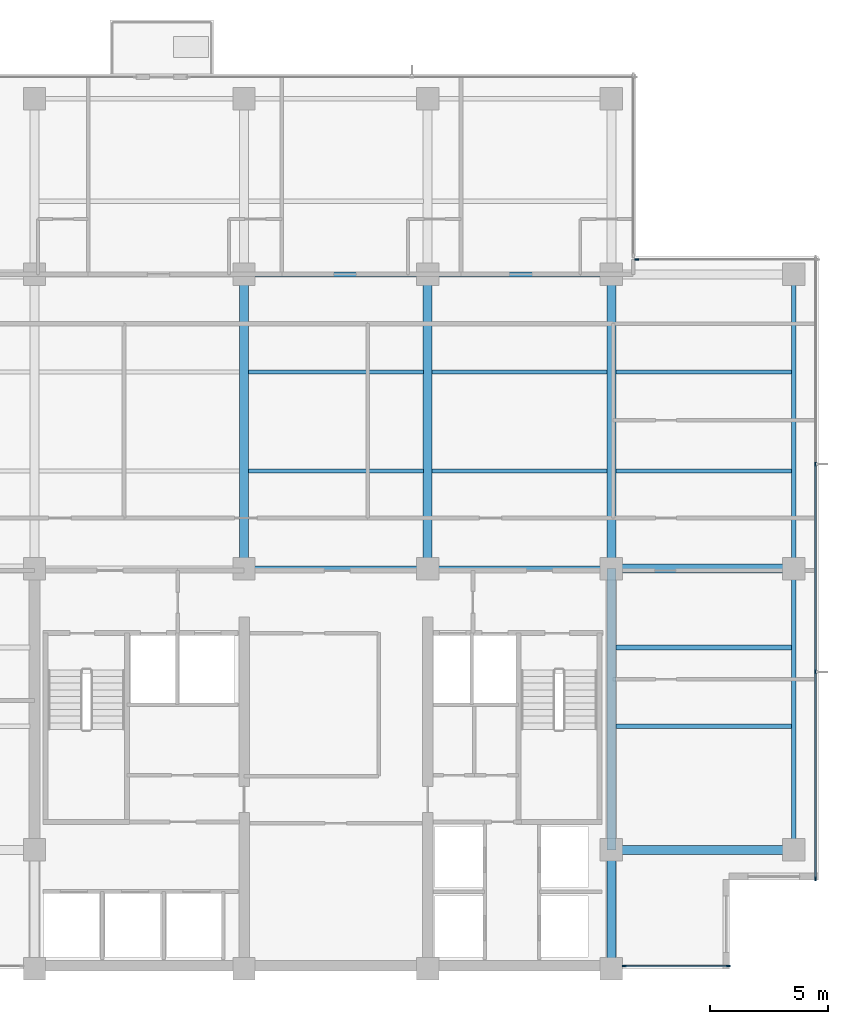
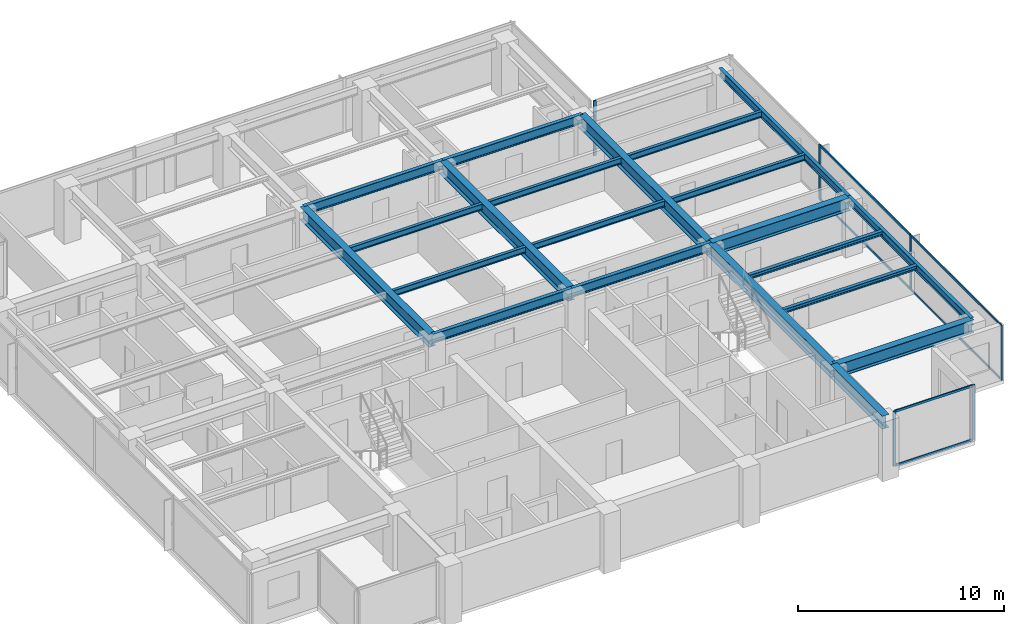
# One storey, part 3 of 14: 21 beams, 12 members, 3 elements without a shape of their own.
"""IFC4 building model written with IfcOpenShell, lengths in metres."""

import ifcopenshell
import ifcopenshell.guid

model = None  # the IFC model being written
_history = None  # IfcOwnerHistory: only IFC2X3 demands one
_inside = {}  # id of a spatial element -> (the spatial element, [elements in it])
_under = {}  # id of a project, library or spatial element -> (it, [spatial elements below it])
_declared = {}  # id of a project -> (the project, [libraries it declares])
_typed = {}  # id of a type object -> (the type object, [elements of that type])
_made_of = {}  # id of a material, layer set ... -> (it, [elements and type objects made of it])


def new_model(schema):
    """Start an empty IFC model of exactly this schema.

    Asked for "IFC4X3", IfcOpenShell would pick the latest addendum, in which some entities
    have other attributes; the version numbers below select the first issue.
    IFC2X3 requires an IfcOwnerHistory on every rooted entity: one is made here for all.
    """
    global model, _history
    if schema == "IFC4X3":
        model = ifcopenshell.file(schema_version=(4, 3, 0, 0))
    else:
        model = ifcopenshell.file(schema=schema)
    _inside.clear()
    _under.clear()
    _declared.clear()
    _typed.clear()
    _made_of.clear()
    _history = None
    if model.schema == "IFC2X3":
        org = make("IfcOrganization", Name="unknown")
        user = make(
            "IfcPersonAndOrganization",
            ThePerson=make("IfcPerson", FamilyName="unknown"),
            TheOrganization=org,
        )
        app = make(
            "IfcApplication",
            ApplicationDeveloper=org,
            Version="unknown",
            ApplicationFullName="unknown",
            ApplicationIdentifier="unknown",
        )
        _history = make(
            "IfcOwnerHistory",
            OwningUser=user,
            OwningApplication=app,
            ChangeAction="ADDED",
            CreationDate=0,
        )
    return model


def make(cls, **values):
    """One entity of the class cls with the attributes given. An attribute that is None is left unset."""
    return model.create_entity(
        cls, **{name: value for name, value in values.items() if value is not None}
    )


def rooted(cls, **values):
    """An entity with a GlobalId (a new one), such as an element, a storey or a relation."""
    return make(cls, GlobalId=ifcopenshell.guid.new(), OwnerHistory=_history, **values)


def si_unit(unit_type, name, prefix=None):
    """IfcSIUnit, for example si_unit("LENGTHUNIT", "METRE", prefix="MILLI")."""
    return make("IfcSIUnit", UnitType=unit_type, Prefix=prefix, Name=name)


def assignment(units):
    """IfcUnitAssignment: the units of a project."""
    return None if units is None else make("IfcUnitAssignment", Units=units)


def point(xyz):
    """IfcCartesianPoint."""
    return None if xyz is None else make("IfcCartesianPoint", Coordinates=xyz)


def direction(xyz):
    """IfcDirection."""
    return None if xyz is None else make("IfcDirection", DirectionRatios=xyz)


def frame(location, z_axis=None, x_axis=None):
    """IfcAxis2Placement3D, a coordinate frame: its origin and axes. An axis left out is left unset."""
    return make(
        "IfcAxis2Placement3D",
        Location=point(location),
        Axis=direction(z_axis),
        RefDirection=direction(x_axis),
    )


def frame_2d(location, x_axis=None):
    """IfcAxis2Placement2D, a coordinate frame in the plane: its origin and x axis."""
    return make(
        "IfcAxis2Placement2D", Location=point(location), RefDirection=direction(x_axis)
    )


def origin():
    """The frame at (0, 0, 0) with its axes left unset."""
    return frame((0.0, 0.0, 0.0))


def origin_2d():
    """The frame at (0, 0) in the plane with its x axis left unset."""
    return frame_2d((0.0, 0.0))


def place(relative_to, where):
    """IfcLocalPlacement: puts the frame where relative to a parent placement (None: the world)."""
    return make(
        "IfcLocalPlacement", PlacementRelTo=relative_to, RelativePlacement=where
    )


def context(
    kind, dimensions, precision=None, world=None, true_north=None, identifier=None
):
    """IfcGeometricRepresentationContext, for example the 3D "Model" context."""
    return make(
        "IfcGeometricRepresentationContext",
        ContextIdentifier=identifier,
        ContextType=kind,
        CoordinateSpaceDimension=dimensions,
        Precision=precision,
        WorldCoordinateSystem=world,
        TrueNorth=true_north,
    )


def subcontext(parent, identifier, kind, view, scale=None):
    """IfcGeometricRepresentationSubContext, for example "Body" below "Model"."""
    return make(
        "IfcGeometricRepresentationSubContext",
        ContextIdentifier=identifier,
        ContextType=kind,
        ParentContext=parent,
        TargetScale=scale,
        TargetView=view,
    )


def project(units=None, contexts=None):
    """IfcProject with its units and contexts."""
    return rooted(
        "IfcProject",
        Name="project",
        RepresentationContexts=contexts,
        UnitsInContext=assignment(units),
    )


def spatial(cls, under=None, at=None, **own):
    """A site, building, storey or space (cls), placed at a placement, below another one or the project."""
    s = rooted(cls, ObjectPlacement=at, **own)
    if under is not None:
        _under.setdefault(under.id(), (under, []))[1].append(s)
    return s


def profile(cls, at=None, kind="AREA", **sizes):
    """A parametric profile (cls). Its sizes go by their IFC names, for example OverallWidth=200.0."""
    return make(cls, ProfileType=kind, Position=at, **sizes)


def rectangle(**sizes):
    """IfcRectangleProfileDef."""
    return profile("IfcRectangleProfileDef", **sizes)


def i_section(**sizes):
    """IfcIShapeProfileDef."""
    return profile("IfcIShapeProfileDef", **sizes)


def extrude(swept, where, along, depth):
    """IfcExtrudedAreaSolid: the profile swept, set in the frame where, extruded along a direction by depth."""
    return make(
        "IfcExtrudedAreaSolid",
        SweptArea=swept,
        Position=where,
        ExtrudedDirection=direction(along),
        Depth=depth,
    )


def shape(context_of_items, identifier, shape_type, items):
    """IfcShapeRepresentation: the items that make up one representation, for example the "Body"."""
    return make(
        "IfcShapeRepresentation",
        ContextOfItems=context_of_items,
        RepresentationIdentifier=identifier,
        RepresentationType=shape_type,
        Items=items,
    )


def material(Name=None, Category=None):
    """IfcMaterial."""
    return make("IfcMaterial", Name=Name, Category=Category)


def layer(
    of_material, thickness, ventilated=None, Name=None, Category=None, Priority=None
):
    """IfcMaterialLayer: one layer of a wall or slab, of a material (None: an air gap)."""
    return make(
        "IfcMaterialLayer",
        Material=of_material,
        LayerThickness=thickness,
        IsVentilated=ventilated,
        Name=Name,
        Category=Category,
        Priority=Priority,
    )


def layer_set(layers, Name=None):
    """IfcMaterialLayerSet."""
    return make("IfcMaterialLayerSet", MaterialLayers=layers, LayerSetName=Name)


def material_profile(
    of_material, cross_section, Name=None, Category=None, Priority=None
):
    """IfcMaterialProfile: a cross section and its material."""
    return make(
        "IfcMaterialProfile",
        Name=Name,
        Material=of_material,
        Profile=cross_section,
        Priority=Priority,
        Category=Category,
    )


def profile_set(profiles, Name=None, composite=None):
    """IfcMaterialProfileSet."""
    return make(
        "IfcMaterialProfileSet",
        Name=Name,
        MaterialProfiles=profiles,
        CompositeProfile=composite,
    )


def made_of(thing, what):
    """Note that an element or type object is made of a material, layer set ...; save() writes the relation."""
    if what is not None:
        _made_of.setdefault(what.id(), (what, []))[1].append(thing)
    return thing


def type_object(cls, material=None, **own):
    """A type object (cls), such as IfcWallType, which elements share."""
    return made_of(rooted(cls, **own), material)


def element(
    cls,
    number,
    at=None,
    inside=None,
    cuts=None,
    type_object=None,
    material=None,
    context=None,
    identifier="Body",
    shape_type=None,
    held_by="IfcProductDefinitionShape",
    body=None,
    shapes=None,
    **own,
):
    """One element of the class cls, such as IfcWall. Its Tag is "e" and its number.

    at: its placement. inside: the storey or other place that contains it. cuts: it is an
    opening in that element (IfcRelVoidsElement). A single representation is given by context,
    identifier, shape_type and body (its items); several are given by shapes. held_by: the class
    of the entity that holds the representations. save() writes the other relations.
    """
    e = rooted(cls, Tag="e%d" % number, ObjectPlacement=at, **own)
    if body is not None:
        shapes = [shape(context, identifier, shape_type, body)]
    if shapes is not None:
        e.Representation = make(held_by, Representations=shapes)
    if inside is not None:
        _inside.setdefault(inside.id(), (inside, []))[1].append(e)
    if cuts is not None:
        rooted(
            "IfcRelVoidsElement", RelatingBuildingElement=cuts, RelatedOpeningElement=e
        )
    if type_object is not None:
        _typed.setdefault(type_object.id(), (type_object, []))[1].append(e)
    return made_of(e, material)


def aggregate(whole, parts):
    """IfcRelAggregates: a whole, such as a stair, and the parts it consists of."""
    return rooted("IfcRelAggregates", RelatingObject=whole, RelatedObjects=parts)


def save(model, path):
    """Write the relations noted so far, then the file.

    IfcRelAggregates (storeys below a building ...), IfcRelContainedInSpatialStructure (elements
    in a storey), IfcRelDefinesByType, IfcRelAssociatesMaterial and IfcRelDeclares: one each for
    every whole, place, type object, material and project.
    """
    for whole, parts in _under.values():
        aggregate(whole, parts)
    for where, things in _inside.values():
        rooted(
            "IfcRelContainedInSpatialStructure",
            RelatedElements=things,
            RelatingStructure=where,
        )
    for kind, things in _typed.values():
        rooted("IfcRelDefinesByType", RelatedObjects=things, RelatingType=kind)
    for what, things in _made_of.values():
        rooted("IfcRelAssociatesMaterial", RelatedObjects=things, RelatingMaterial=what)
    for by, libraries in _declared.values():
        rooted("IfcRelDeclares", RelatingContext=by, RelatedDefinitions=libraries)
    model.write(path)


model = new_model("IFC4")

# Units and contexts
model_context = context("Model", 3, precision=1e-05, world=origin(), true_north=direction((0.0, 1.0)))
body_context = subcontext(model_context, "Body", "Model", "MODEL_VIEW")
ifc_project = project(units=[si_unit("LENGTHUNIT", "METRE"), si_unit("AREAUNIT", "SQUARE_METRE"), si_unit("VOLUMEUNIT", "CUBIC_METRE"), si_unit("PLANEANGLEUNIT", "RADIAN"), si_unit("MASSUNIT", "GRAM", prefix="KILO")], contexts=[model_context])

# Site, building, storey
site_placement = place(None, origin())
site = spatial("IfcSite", under=ifc_project, at=site_placement, CompositionType="ELEMENT")
building_placement = place(site_placement, origin())
building = spatial("IfcBuilding", under=site, at=building_placement, Name="Qalmaran Belvedere Hotel", CompositionType="ELEMENT")
storey_placement = place(building_placement, frame((0.0, 0.0, 207.39990234375)))
storey = spatial("IfcBuildingStorey", under=building, at=storey_placement, Name="L52", CompositionType="ELEMENT", Elevation=207.39990234375)

# Beams
ifc_material_1 = material(Name="Steel S355JR", Category="steel")
ifc_material_profile_1 = material_profile(ifc_material_1, i_section(OverallWidth=0.201904296875, OverallDepth=0.2470703125, WebThickness=0.00732421875, FlangeThickness=0.010986328125, FilletRadius=0.011962890625, at=origin_2d()), Name="W250X49")
ifc_profile_set_1 = profile_set([ifc_material_profile_1], Name="Steel S355JR")
beam_type_1 = type_object("IfcBeamType", Name="BM-JST-W250X49", PredefinedType="JOIST", material=ifc_profile_set_1)
for number, where, z_axis, x_axis, name in (
    (1, (44.988525390625, 13.800048828125, 3.13671875), (1.0, 0.0, 0.0), (0.0, 1.0, 0.0), "L52 East Wing Joist 039"),
    (2, (44.988525390625, 17.14990234375, 3.13671875), (1.0, 0.0, 0.0), (0.0, 1.0, 0.0), "L52 East Wing Joist 041"),
):
    element("IfcBeam", number, at=place(storey_placement, frame(where, z_axis=z_axis, x_axis=x_axis)), inside=storey, type_object=beam_type_1, Name=name, PredefinedType="JOIST", context=body_context, shape_type="SweptSolid", body=[
        extrude(i_section(OverallWidth=0.201904296875, OverallDepth=0.2470703125, WebThickness=0.00732421875, FlangeThickness=0.010986328125, FilletRadius=0.011962890625, at=origin_2d()), origin(), (0.0, 0.0, 1.0), 7.467529296875),
    ])
ifc_material_profile_2 = material_profile(ifc_material_1, i_section(OverallWidth=0.381103515625, OverallDepth=0.77294921875, WebThickness=0.0166015625, FlangeThickness=0.027099609375, FilletRadius=0.02197265625, at=origin_2d()), Name="W760X257")
ifc_profile_set_2 = profile_set([ifc_material_profile_2], Name="Steel S355JR")
beam_type_2 = type_object("IfcBeamType", Name="BM-PG4-W760X257", PredefinedType="USERDEFINED", material=ifc_profile_set_2)
for number, where, z_axis, x_axis, name in (
    (3, (29.199951171875, 20.5, 2.87353515625), (0.0, 1.0, 0.0), (-1.0, 0.0, 0.0), "L52 Mid-Plate N-S Girder 16"),
    (4, (37.0, 20.5, 2.87353515625), (0.0, 1.0, 0.0), (-1.0, 0.0, 0.0), "L52 Mid-Plate N-S Girder 18"),
    (5, (44.800048828125, 20.5, 2.87353515625), (0.0, 1.0, 0.0), (-1.0, 0.0, 0.0), "L52 Mid-Plate N-S Girder 20"),
):
    element("IfcBeam", number, at=place(storey_placement, frame(where, z_axis=z_axis, x_axis=x_axis)), inside=storey, type_object=beam_type_2, Name=name, ObjectType="GIRDER", PredefinedType="USERDEFINED", context=body_context, shape_type="SweptSolid", body=[
        extrude(i_section(OverallWidth=0.381103515625, OverallDepth=0.77294921875, WebThickness=0.0166015625, FlangeThickness=0.027099609375, FilletRadius=0.02197265625, at=origin_2d()), origin(), (0.0, 0.0, 1.0), 12.5),
    ])
beam_1_placement = place(storey_placement, frame((44.800048828125, 3.5, 2.87353515625), z_axis=(0.0, 1.0, 0.0), x_axis=(-1.0, 0.0, 0.0)))
element("IfcBeam", 6, at=beam_1_placement, inside=storey, type_object=beam_type_2, Name="L52 East Core Edge Girder A", ObjectType="GIRDER", PredefinedType="USERDEFINED", context=body_context, shape_type="SweptSolid", body=[
    extrude(i_section(OverallWidth=0.381103515625, OverallDepth=0.77294921875, WebThickness=0.0166015625, FlangeThickness=0.027099609375, FilletRadius=0.02197265625, at=origin_2d()), origin(), (0.0, 0.0, 1.0), 5.050048828125),
])
beam_2_placement = place(storey_placement, frame((44.800048828125, 8.550048828125, 2.87353515625), z_axis=(0.0, 1.0, 0.0), x_axis=(-1.0, 0.0, 0.0)))
element("IfcBeam", 7, at=beam_2_placement, inside=storey, type_object=beam_type_2, Name="L52 East Core Edge Girder B", ObjectType="GIRDER", PredefinedType="USERDEFINED", context=body_context, shape_type="SweptSolid", body=[
    extrude(i_section(OverallWidth=0.381103515625, OverallDepth=0.77294921875, WebThickness=0.0166015625, FlangeThickness=0.027099609375, FilletRadius=0.02197265625, at=origin_2d()), origin(), (0.0, 0.0, 1.0), 11.949951171875),
])
for number, where, z_axis, x_axis, name in (
    (8, (44.800048828125, 8.550048828125, 2.87353515625), (1.0, 0.0, 0.0), (0.0, 1.0, 0.0), "L52 East Wing Girder 25"),
    (9, (44.800048828125, 20.5, 2.87353515625), (1.0, 0.0, 0.0), (0.0, 1.0, 0.0), "L52 East Wing Girder 26"),
):
    element("IfcBeam", number, at=place(storey_placement, frame(where, z_axis=z_axis, x_axis=x_axis)), inside=storey, type_object=beam_type_2, Name=name, ObjectType="GIRDER", PredefinedType="USERDEFINED", context=body_context, shape_type="SweptSolid", body=[
        extrude(i_section(OverallWidth=0.381103515625, OverallDepth=0.77294921875, WebThickness=0.0166015625, FlangeThickness=0.027099609375, FilletRadius=0.02197265625, at=origin_2d()), origin(), (0.0, 0.0, 1.0), 7.75),
    ])
ifc_material_profile_3 = material_profile(ifc_material_1, i_section(OverallWidth=0.172119140625, OverallDepth=0.35791015625, WebThickness=0.0078125, FlangeThickness=0.01318359375, FilletRadius=0.014892578125, at=origin_2d()), Name="W360X57")
ifc_profile_set_3 = profile_set([ifc_material_profile_3], Name="Steel S355JR")
beam_type_3 = type_object("IfcBeamType", Name="BM-SB4-W360X57", PredefinedType="BEAM", material=ifc_profile_set_3)
for number, where, z_axis, x_axis, name in (
    (10, (29.388427734375, 24.64990234375, 3.0810546875), (1.0, 0.0, 0.0), (0.0, 1.0, 0.0), "L52 Secondary Floor Beam 030"),
    (11, (37.1884765625, 24.64990234375, 3.0810546875), (1.0, 0.0, 0.0), (0.0, 1.0, 0.0), "L52 Secondary Floor Beam 031"),
):
    element("IfcBeam", number, at=place(storey_placement, frame(where, z_axis=z_axis, x_axis=x_axis)), inside=storey, type_object=beam_type_3, Name=name, PredefinedType="BEAM", context=body_context, shape_type="SweptSolid", body=[
        extrude(i_section(OverallWidth=0.172119140625, OverallDepth=0.35791015625, WebThickness=0.0078125, FlangeThickness=0.01318359375, FilletRadius=0.014892578125, at=origin_2d()), origin(), (0.0, 0.0, 1.0), 7.423095703125),
    ])
beam_3_placement = place(storey_placement, frame((44.988525390625, 24.64990234375, 3.0810546875), z_axis=(1.0, 0.0, 0.0), x_axis=(0.0, 1.0, 0.0)))
element("IfcBeam", 12, at=beam_3_placement, inside=storey, type_object=beam_type_3, Name="L52 East Secondary Beam 032", PredefinedType="BEAM", context=body_context, shape_type="SweptSolid", body=[
    extrude(i_section(OverallWidth=0.172119140625, OverallDepth=0.35791015625, WebThickness=0.0078125, FlangeThickness=0.01318359375, FilletRadius=0.014892578125, at=origin_2d()), origin(), (0.0, 0.0, 1.0), 7.467529296875),
])
for number, where, z_axis, x_axis, name in (
    (13, (29.388427734375, 28.85009765625, 3.0810546875), (1.0, 0.0, 0.0), (0.0, 1.0, 0.0), "L52 Secondary Floor Beam 035"),
    (14, (37.1884765625, 28.85009765625, 3.0810546875), (1.0, 0.0, 0.0), (0.0, 1.0, 0.0), "L52 Secondary Floor Beam 036"),
):
    element("IfcBeam", number, at=place(storey_placement, frame(where, z_axis=z_axis, x_axis=x_axis)), inside=storey, type_object=beam_type_3, Name=name, PredefinedType="BEAM", context=body_context, shape_type="SweptSolid", body=[
        extrude(i_section(OverallWidth=0.172119140625, OverallDepth=0.35791015625, WebThickness=0.0078125, FlangeThickness=0.01318359375, FilletRadius=0.014892578125, at=origin_2d()), origin(), (0.0, 0.0, 1.0), 7.423095703125),
    ])
beam_4_placement = place(storey_placement, frame((44.988525390625, 28.85009765625, 3.0810546875), z_axis=(1.0, 0.0, 0.0), x_axis=(0.0, 1.0, 0.0)))
element("IfcBeam", 15, at=beam_4_placement, inside=storey, type_object=beam_type_3, Name="L52 East Secondary Beam 037", PredefinedType="BEAM", context=body_context, shape_type="SweptSolid", body=[
    extrude(i_section(OverallWidth=0.172119140625, OverallDepth=0.35791015625, WebThickness=0.0078125, FlangeThickness=0.01318359375, FilletRadius=0.014892578125, at=origin_2d()), origin(), (0.0, 0.0, 1.0), 7.467529296875),
])
ifc_material_profile_4 = material_profile(ifc_material_1, i_section(OverallWidth=0.19189453125, OverallDepth=0.462890625, WebThickness=0.010498046875, FlangeThickness=0.017578125, FilletRadius=0.01611328125, at=origin_2d()), Name="W460X89")
ifc_profile_set_4 = profile_set([ifc_material_profile_4], Name="Steel S355JR")
beam_type_4 = type_object("IfcBeamType", Name="BM-SP2-W460X89", PredefinedType="SPANDREL", material=ifc_profile_set_4)
beam_5_placement = place(storey_placement, frame((52.550048828125, 8.550048828125, 3.028564453125), z_axis=(0.0, 1.0, 0.0), x_axis=(-1.0, 0.0, 0.0)))
element("IfcBeam", 16, at=beam_5_placement, inside=storey, type_object=beam_type_4, Name="L52 Perimeter Spandrel 03", PredefinedType="SPANDREL", context=body_context, shape_type="SweptSolid", body=[
    extrude(i_section(OverallWidth=0.19189453125, OverallDepth=0.462890625, WebThickness=0.010498046875, FlangeThickness=0.017578125, FilletRadius=0.01611328125, at=origin_2d()), origin(), (0.0, 0.0, 1.0), 11.949951171875),
])
beam_6_placement = place(storey_placement, frame((52.550048828125, 20.5, 3.028564453125), z_axis=(0.0, 1.0, 0.0), x_axis=(-1.0, 0.0, 0.0)))
element("IfcBeam", 17, at=beam_6_placement, inside=storey, type_object=beam_type_4, Name="L52 Perimeter Spandrel 04", PredefinedType="SPANDREL", context=body_context, shape_type="SweptSolid", body=[
    extrude(i_section(OverallWidth=0.19189453125, OverallDepth=0.462890625, WebThickness=0.010498046875, FlangeThickness=0.017578125, FilletRadius=0.01611328125, at=origin_2d()), origin(), (0.0, 0.0, 1.0), 12.5),
])
ifc_material_profile_5 = material_profile(ifc_material_1, i_section(OverallWidth=0.2109375, OverallDepth=0.5390625, WebThickness=0.01171875, FlangeThickness=0.018798828125, FilletRadius=0.01806640625, at=origin_2d()), Name="W530X109")
ifc_profile_set_5 = profile_set([ifc_material_profile_5], Name="Steel S355JR")
beam_type_5 = type_object("IfcBeamType", Name="BM-Z4-W530X109", PredefinedType="USERDEFINED", material=ifc_profile_set_5)
for number, where, z_axis, x_axis, name in (
    (18, (29.199951171875, 20.5, 2.990478515625), (1.0, 0.0, 0.0), (0.0, 1.0, 0.0), "L52 Interior E-W Girder 09"),
    (19, (37.0, 20.5, 2.990478515625), (1.0, 0.0, 0.0), (0.0, 1.0, 0.0), "L52 Interior E-W Girder 10"),
    (20, (29.199951171875, 33.0, 2.990478515625), (1.0, 0.0, 0.0), (0.0, 1.0, 0.0), "L52 Interior E-W Girder 12"),
    (21, (37.0, 33.0, 2.990478515625), (1.0, 0.0, 0.0), (0.0, 1.0, 0.0), "L52 Interior E-W Girder 13"),
):
    element("IfcBeam", number, at=place(storey_placement, frame(where, z_axis=z_axis, x_axis=x_axis)), inside=storey, type_object=beam_type_5, Name=name, ObjectType="GIRDER", PredefinedType="USERDEFINED", context=body_context, shape_type="SweptSolid", body=[
        extrude(i_section(OverallWidth=0.2109375, OverallDepth=0.5390625, WebThickness=0.01171875, FlangeThickness=0.018798828125, FilletRadius=0.01806640625, at=origin_2d()), origin(), (0.0, 0.0, 1.0), 7.800048828125),
    ])

# Curtain wall, members
ifc_material_2 = material(Name="Anodised Bronze Aluminium", Category="aluminium")
ifc_layer = layer(ifc_material_2, 0.18994140625, Name="Anodised Bronze Aluminium")
ifc_layer_set = layer_set([ifc_layer], Name="Anodised Bronze Aluminium")
curtain_wall_type = type_object("IfcCurtainWallType", Name="CW5-TOWER-UPPER", PredefinedType="NOTDEFINED", material=ifc_layer_set)
curtain_wall_1_placement = place(storey_placement, origin())
curtain_wall_1 = element("IfcCurtainWall", 22, at=curtain_wall_1_placement, inside=storey, type_object=curtain_wall_type, Name="L52 Curtain Wall CW5", PredefinedType="NOTDEFINED")
ifc_material_profile_6 = material_profile(ifc_material_2, rectangle(XDim=0.06494140625, YDim=0.1650390625, at=origin_2d()), Name="CWM65X165")
ifc_profile_set_6 = profile_set([ifc_material_profile_6], Name="Anodised Bronze Aluminium")
member_type_1 = type_object("IfcMemberType", Name="CWM-65X165", PredefinedType="MULLION", material=ifc_profile_set_6)
member_1_placement = place(storey_placement, frame((45.347412109375, 3.6201171875, 0.0), z_axis=(0.0, 0.0, 1.0), x_axis=(0.0, 1.0, 0.0)))
member_1 = element("IfcMember", 23, at=member_1_placement, type_object=member_type_1, Name="CW5 mullion 1", PredefinedType="MULLION", context=body_context, shape_type="SweptSolid", body=[
    extrude(rectangle(XDim=0.06494140625, YDim=0.1650390625, at=origin_2d()), origin(), (0.0, 0.0, 1.0), 3.260009765625),
])
member_2_placement = place(storey_placement, frame((49.767578125, 3.6201171875, 0.0), z_axis=(0.0, 0.0, 1.0), x_axis=(0.0, 1.0, 0.0)))
member_2 = element("IfcMember", 24, at=member_2_placement, type_object=member_type_1, Name="CW5 mullion 2", PredefinedType="MULLION", context=body_context, shape_type="SweptSolid", body=[
    extrude(rectangle(XDim=0.06494140625, YDim=0.1650390625, at=origin_2d()), origin(), (0.0, 0.0, 1.0), 3.260009765625),
])

curtain_wall_2_placement = place(storey_placement, origin())
curtain_wall_2 = element("IfcCurtainWall", 25, at=curtain_wall_2_placement, inside=storey, type_object=curtain_wall_type, Name="L52 Curtain Wall CW5", PredefinedType="NOTDEFINED")
member_3_placement = place(storey_placement, frame((53.47998046875, 7.33251953125, 0.0), z_axis=(0.0, 0.0, 1.0), x_axis=(-1.0, 0.0, 0.0)))
member_3 = element("IfcMember", 26, at=member_3_placement, type_object=member_type_1, Name="CW5 mullion 1", PredefinedType="MULLION", context=body_context, shape_type="SweptSolid", body=[
    extrude(rectangle(XDim=0.06494140625, YDim=0.1650390625, at=origin_2d()), origin(), (0.0, 0.0, 1.0), 3.260009765625),
])
member_4_placement = place(storey_placement, frame((53.47998046875, 16.11669921875, 0.0), z_axis=(0.0, 0.0, 1.0), x_axis=(-1.0, 0.0, 0.0)))
member_4 = element("IfcMember", 27, at=member_4_placement, type_object=member_type_1, Name="CW5 mullion 2", PredefinedType="MULLION", context=body_context, shape_type="SweptSolid", body=[
    extrude(rectangle(XDim=0.06494140625, YDim=0.1650390625, at=origin_2d()), origin(), (0.0, 0.0, 1.0), 3.260009765625),
])
member_5_placement = place(storey_placement, frame((53.47998046875, 24.933349609375, 0.0), z_axis=(0.0, 0.0, 1.0), x_axis=(-1.0, 0.0, 0.0)))
member_5 = element("IfcMember", 28, at=member_5_placement, type_object=member_type_1, Name="CW5 mullion 3", PredefinedType="MULLION", context=body_context, shape_type="SweptSolid", body=[
    extrude(rectangle(XDim=0.06494140625, YDim=0.1650390625, at=origin_2d()), origin(), (0.0, 0.0, 1.0), 3.260009765625),
])

# Curtain wall, member
curtain_wall_3_placement = place(storey_placement, origin())
curtain_wall_3 = element("IfcCurtainWall", 29, at=curtain_wall_3_placement, inside=storey, type_object=curtain_wall_type, Name="L52 Curtain Wall CW5", PredefinedType="NOTDEFINED")
member_6_placement = place(storey_placement, frame((45.882568359375, 33.6298828125, 0.0), z_axis=(0.0, 0.0, 1.0), x_axis=(0.0, -1.0, 0.0)))
member_6 = element("IfcMember", 30, at=member_6_placement, type_object=member_type_1, Name="CW5 mullion 2", PredefinedType="MULLION", context=body_context, shape_type="SweptSolid", body=[
    extrude(rectangle(XDim=0.06494140625, YDim=0.1650390625, at=origin_2d()), origin(), (0.0, 0.0, 1.0), 3.260009765625),
])
aggregate(curtain_wall_3, [member_6])

# Member
ifc_material_profile_7 = material_profile(ifc_material_2, rectangle(XDim=0.06494140625, YDim=0.1298828125, at=origin_2d()), Name="CWT65X130")
ifc_profile_set_7 = profile_set([ifc_material_profile_7], Name="Anodised Bronze Aluminium")
member_type_2 = type_object("IfcMemberType", Name="CWT-65X130", PredefinedType="USERDEFINED", material=ifc_profile_set_7)
member_7_placement = place(storey_placement, frame((45.3798828125, 3.6201171875, 0.03271484375), z_axis=(1.0, 0.0, 0.0), x_axis=(0.0, 1.0, 0.0)))
member_7 = element("IfcMember", 31, at=member_7_placement, type_object=member_type_2, Name="CW5 transom 1.1", ObjectType="TRANSOM", PredefinedType="USERDEFINED", context=body_context, shape_type="SweptSolid", body=[
    extrude(rectangle(XDim=0.06494140625, YDim=0.1298828125, at=origin_2d()), origin(), (0.0, 0.0, 1.0), 4.355224609375),
])

member_8_placement = place(storey_placement, frame((45.3798828125, 3.6201171875, 3.2275390625), z_axis=(1.0, 0.0, 0.0), x_axis=(0.0, 1.0, 0.0)))
member_8 = element("IfcMember", 32, at=member_8_placement, type_object=member_type_2, Name="CW5 transom 1.2", ObjectType="TRANSOM", PredefinedType="USERDEFINED", context=body_context, shape_type="SweptSolid", body=[
    extrude(rectangle(XDim=0.06494140625, YDim=0.1298828125, at=origin_2d()), origin(), (0.0, 0.0, 1.0), 4.355224609375),
])

aggregate(curtain_wall_1, [member_1, member_2, member_7, member_8])

member_9_placement = place(storey_placement, frame((53.47998046875, 7.364990234375, 0.03271484375), z_axis=(0.0, 1.0, 0.0), x_axis=(-1.0, 0.0, 0.0)))
member_9 = element("IfcMember", 33, at=member_9_placement, type_object=member_type_2, Name="CW5 transom 1.1", ObjectType="TRANSOM", PredefinedType="USERDEFINED", context=body_context, shape_type="SweptSolid", body=[
    extrude(rectangle(XDim=0.06494140625, YDim=0.1298828125, at=origin_2d()), origin(), (0.0, 0.0, 1.0), 8.71923828125),
])

member_10_placement = place(storey_placement, frame((53.47998046875, 7.364990234375, 3.2275390625), z_axis=(0.0, 1.0, 0.0), x_axis=(-1.0, 0.0, 0.0)))
member_10 = element("IfcMember", 34, at=member_10_placement, type_object=member_type_2, Name="CW5 transom 1.2", ObjectType="TRANSOM", PredefinedType="USERDEFINED", context=body_context, shape_type="SweptSolid", body=[
    extrude(rectangle(XDim=0.06494140625, YDim=0.1298828125, at=origin_2d()), origin(), (0.0, 0.0, 1.0), 8.71923828125),
])

member_11_placement = place(storey_placement, frame((53.47998046875, 16.149169921875, 0.03271484375), z_axis=(0.0, 1.0, 0.0), x_axis=(-1.0, 0.0, 0.0)))
member_11 = element("IfcMember", 35, at=member_11_placement, type_object=member_type_2, Name="CW5 transom 2.1", ObjectType="TRANSOM", PredefinedType="USERDEFINED", context=body_context, shape_type="SweptSolid", body=[
    extrude(rectangle(XDim=0.06494140625, YDim=0.1298828125, at=origin_2d()), origin(), (0.0, 0.0, 1.0), 8.751708984375),
])

member_12_placement = place(storey_placement, frame((53.47998046875, 16.149169921875, 3.2275390625), z_axis=(0.0, 1.0, 0.0), x_axis=(-1.0, 0.0, 0.0)))
member_12 = element("IfcMember", 36, at=member_12_placement, type_object=member_type_2, Name="CW5 transom 2.2", ObjectType="TRANSOM", PredefinedType="USERDEFINED", context=body_context, shape_type="SweptSolid", body=[
    extrude(rectangle(XDim=0.06494140625, YDim=0.1298828125, at=origin_2d()), origin(), (0.0, 0.0, 1.0), 8.751708984375),
])

aggregate(curtain_wall_2, [member_3, member_4, member_5, member_9, member_10, member_11, member_12])

save(model, "model.ifc")
